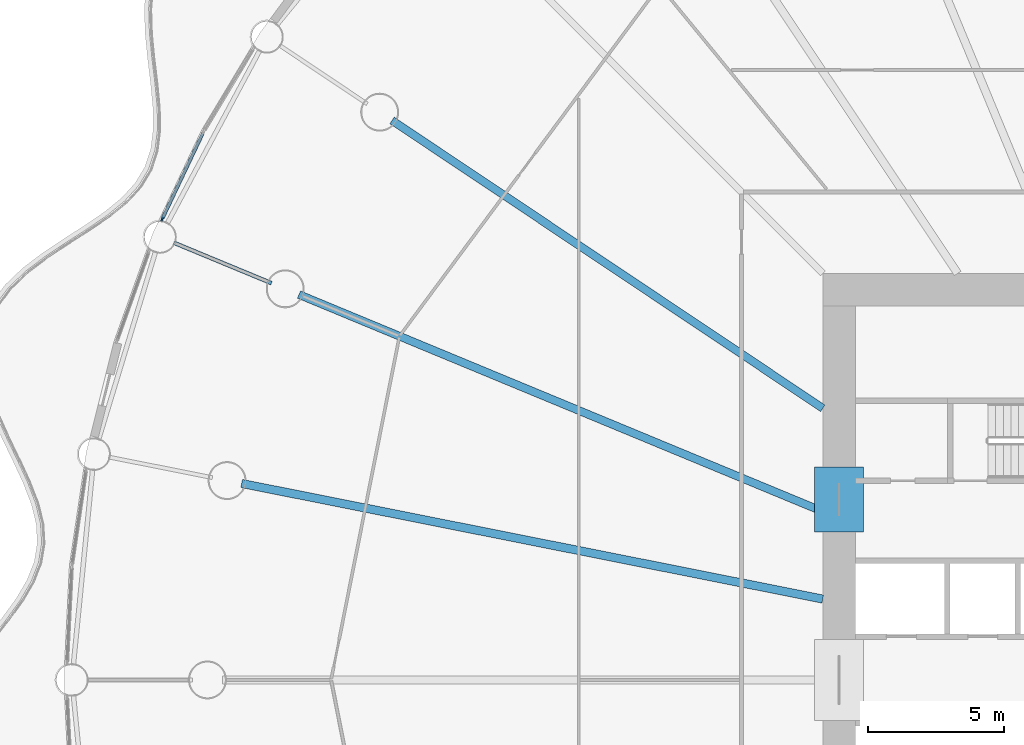
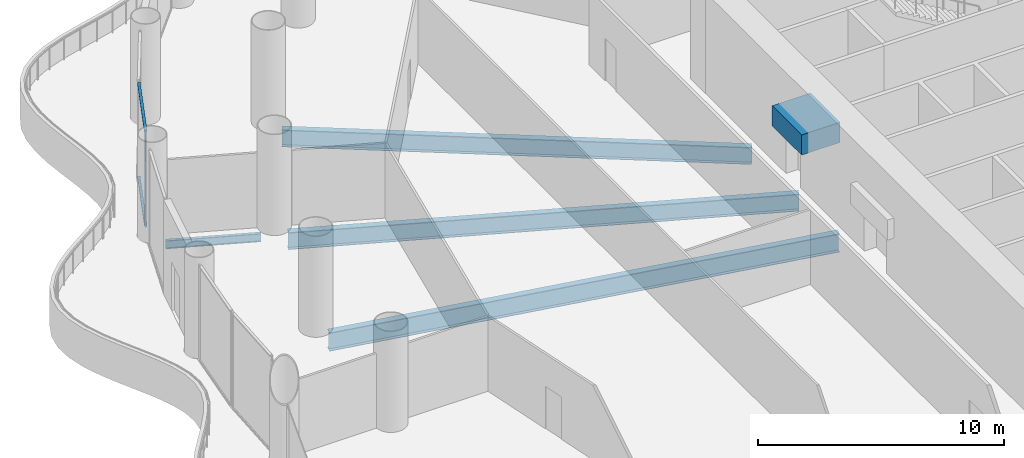
# One storey, part 9 of 36: 5 beams, 3 members, 1 element without a shape of its own.
"""IFC4 building model written with IfcOpenShell, lengths in metres."""

from ifc_helpers import new_model, si_unit, direction, frame, origin, origin_2d, place, context, subcontext, project, spatial, rectangle, i_section, extrude, material, material_profile, profile_set, type_object, element, aggregate, save


model = new_model("IFC4")

# Units and contexts
model_context = context("Model", 3, precision=1e-05, world=origin(), true_north=direction((0.0, 1.0)))
body_context = subcontext(model_context, "Body", "Model", "MODEL_VIEW")
ifc_project = project(units=[si_unit("LENGTHUNIT", "METRE"), si_unit("AREAUNIT", "SQUARE_METRE"), si_unit("VOLUMEUNIT", "CUBIC_METRE"), si_unit("PLANEANGLEUNIT", "RADIAN"), si_unit("MASSUNIT", "GRAM", prefix="KILO")], contexts=[model_context])

# Site, building, storey
site_placement = place(None, origin())
site = spatial("IfcSite", under=ifc_project, at=site_placement, CompositionType="ELEMENT")
building_placement = place(site_placement, origin())
building = spatial("IfcBuilding", under=site, at=building_placement, Name="Corvane Civic Tower", CompositionType="ELEMENT")
storey_placement = place(building_placement, frame((0.0, 0.0, 17.0)))
storey = spatial("IfcBuildingStorey", under=building, at=storey_placement, Name="L03", CompositionType="ELEMENT", Elevation=17.0)

# Beams
ifc_material_1 = material(Name="Concrete C80/95", Category="concrete")
ifc_material_profile_1 = material_profile(ifc_material_1, rectangle(XDim=1.800048828125, YDim=1.0, at=origin_2d()), Name="COUPLING BEAM 1800X1000")
ifc_profile_set_1 = profile_set([ifc_material_profile_1], Name="Concrete C80/95")
beam_type_1 = type_object("IfcBeamType", Name="COUPLING BEAM COUPLING BEAM 1800X1000", PredefinedType="BEAM", material=ifc_profile_set_1)
beam_1_placement = place(storey_placement, frame((-14.39990234375, 5.449951171875, 2.60009765625), z_axis=(0.0, 1.0, 0.0), x_axis=(-1.0, 0.0, 0.0)))
element("IfcBeam", 1, at=beam_1_placement, inside=storey, type_object=beam_type_1, Name="BM-L03-cpl-CW-WN", PredefinedType="BEAM", context=body_context, shape_type="SweptSolid", body=[
    extrude(rectangle(XDim=1.800048828125, YDim=1.0, at=origin_2d()), origin(), (0.0, 0.0, 1.0), 2.400146484375),
])
ifc_material_2 = material(Name="Steel ASTM A992 Gr 50", Category="steel")
ifc_material_profile_2 = material_profile(ifc_material_2, i_section(OverallWidth=0.140380859375, OverallDepth=0.40380859375, WebThickness=0.007080078125, FlangeThickness=0.01123046875, at=origin_2d()), Name="W16X31")
ifc_profile_set_2 = profile_set([ifc_material_profile_2], Name="Steel ASTM A992 Gr 50")
beam_type_2 = type_object("IfcBeamType", Name="FLOOR GIRDER W16X31", PredefinedType="BEAM", material=ifc_profile_set_2)
beam_2_placement = place(storey_placement, frame((-35.33837890625, 14.6376953125, -0.501953125), z_axis=(-0.923878730261, 0.382685369162, 0.0), x_axis=(-0.382685369162, -0.923878730261, 0.0)))
element("IfcBeam", 2, at=beam_2_placement, inside=storey, type_object=beam_type_2, Name="BM-L03-G27b", PredefinedType="BEAM", context=body_context, shape_type="SweptSolid", body=[
    extrude(i_section(OverallWidth=0.140380859375, OverallDepth=0.40380859375, WebThickness=0.007080078125, FlangeThickness=0.01123046875, at=origin_2d()), origin(), (0.0, 0.0, 1.0), 3.89990234375),
])
ifc_material_3 = material(Name="Steel ASTM A992 Gr 50", Category="steel")
ifc_material_profile_3 = material_profile(ifc_material_3, i_section(OverallWidth=0.2919921875, OverallDepth=0.845703125, WebThickness=0.015380859375, FlangeThickness=0.0244140625, at=origin_2d()), Name="W33X141")
ifc_profile_set_3 = profile_set([ifc_material_profile_3], Name="Steel ASTM A992 Gr 50")
beam_type_3 = type_object("IfcBeamType", Name="FLOOR GIRDER W33X141", PredefinedType="BEAM", material=ifc_profile_set_3)
beam_3_placement = place(storey_placement, frame((-15.0, 6.213134765625, -0.722900390625), z_axis=(-0.923875834355, 0.382692360381, 0.0), x_axis=(-0.382692360381, -0.923875834355, 0.0)))
element("IfcBeam", 3, at=beam_3_placement, inside=storey, type_object=beam_type_3, Name="BM-L03-G27", PredefinedType="BEAM", context=body_context, shape_type="SweptSolid", body=[
    extrude(i_section(OverallWidth=0.2919921875, OverallDepth=0.845703125, WebThickness=0.015380859375, FlangeThickness=0.0244140625, at=origin_2d()), origin(), (0.0, 0.0, 1.0), 20.9140625),
])
beam_4_placement = place(storey_placement, frame((-15.0, 10.022705078125, -0.722900390625), z_axis=(-0.831471985418, 0.555566681385, 0.0), x_axis=(-0.555566681385, -0.831471985418, 0.0)))
element("IfcBeam", 4, at=beam_4_placement, inside=storey, type_object=beam_type_3, Name="BM-L03-G28", PredefinedType="BEAM", context=body_context, shape_type="SweptSolid", body=[
    extrude(i_section(OverallWidth=0.2919921875, OverallDepth=0.845703125, WebThickness=0.015380859375, FlangeThickness=0.0244140625, at=origin_2d()), origin(), (0.0, 0.0, 1.0), 19.109619140625),
])
ifc_material_4 = material(Name="Steel ASTM A992 Gr 50", Category="steel")
ifc_material_profile_4 = material_profile(ifc_material_4, i_section(OverallWidth=0.3046875, OverallDepth=0.911865234375, WebThickness=0.015869140625, FlangeThickness=0.02392578125, at=origin_2d()), Name="W36X150")
ifc_profile_set_4 = profile_set([ifc_material_profile_4], Name="Steel ASTM A992 Gr 50")
beam_type_4 = type_object("IfcBeamType", Name="FLOOR GIRDER W36X150", PredefinedType="BEAM", material=ifc_profile_set_4)
beam_5_placement = place(storey_placement, frame((-15.0, 2.983642578125, -0.755859375), z_axis=(-0.980785499679, 0.195089219638, 0.0), x_axis=(-0.195089219638, -0.980785499679, 0.0)))
element("IfcBeam", 5, at=beam_5_placement, inside=storey, type_object=beam_type_4, Name="BM-L03-G26", PredefinedType="BEAM", context=body_context, shape_type="SweptSolid", body=[
    extrude(i_section(OverallWidth=0.3046875, OverallDepth=0.911865234375, WebThickness=0.015869140625, FlangeThickness=0.02392578125, at=origin_2d()), origin(), (0.0, 0.0, 1.0), 21.856201171875),
])

# Curtain wall, members
ifc_material_5 = material(Name="Aluminium and glass", Category="aluminium")
curtain_wall_type = type_object("IfcCurtainWallType", Name="PODIUM-CW-P-RUN", PredefinedType="NOTDEFINED", material=ifc_material_5)
curtain_wall_placement = place(storey_placement, origin())
curtain_wall = element("IfcCurtainWall", 6, at=curtain_wall_placement, inside=storey, type_object=curtain_wall_type, Name="PODI run L03-drum-27A", PredefinedType="NOTDEFINED")
ifc_material_6 = material(Name="Anodised aluminium bronze", Category="aluminium")
ifc_material_profile_5 = material_profile(ifc_material_6, rectangle(XDim=0.06005859375, YDim=0.159912109375, at=origin_2d()), Name="AL 60x160")
ifc_profile_set_5 = profile_set([ifc_material_profile_5], Name="Anodised aluminium bronze")
member_type_1 = type_object("IfcMemberType", Name="PODIUM-CWP-MULLION-60x160", PredefinedType="MULLION", material=ifc_profile_set_5)
member_1_placement = place(storey_placement, frame((-39.36767578125, 17.00439453125, 0.0), z_axis=(0.0, 0.0, 1.0), x_axis=(-0.903990222454, 0.42755312852, 0.0)))
member_1 = element("IfcMember", 7, at=member_1_placement, type_object=member_type_1, Name="CW-P mullion 1", PredefinedType="MULLION", context=body_context, shape_type="SweptSolid", body=[
    extrude(rectangle(XDim=0.06005859375, YDim=0.159912109375, at=origin_2d()), origin(), (0.0, 0.0, 1.0), 4.699951171875),
])
ifc_material_7 = material(Name="Anodised aluminium bronze", Category="aluminium")
ifc_material_profile_6 = material_profile(ifc_material_7, rectangle(XDim=0.1201171875, YDim=0.06005859375, at=origin_2d()), Name="AL 120x60")
ifc_profile_set_6 = profile_set([ifc_material_profile_6], Name="Anodised aluminium bronze")
member_type_2 = type_object("IfcMemberType", Name="PODIUM-CWP-TRANSOM-60x120", PredefinedType="USERDEFINED", material=ifc_profile_set_6)
member_2_placement = place(storey_placement, frame((-39.354736328125, 17.031494140625, 0.030029296875), z_axis=(0.427546343166, 0.903993431638, 0.0), x_axis=(-0.903993431638, 0.427546343166, 0.0)))
member_2 = element("IfcMember", 8, at=member_2_placement, type_object=member_type_2, Name="CW-P transom 1.1", ObjectType="TRANSOM", PredefinedType="USERDEFINED", context=body_context, shape_type="SweptSolid", body=[
    extrude(rectangle(XDim=0.1201171875, YDim=0.06005859375, at=origin_2d()), origin(), (0.0, 0.0, 1.0), 3.4599609375),
])
member_3_placement = place(storey_placement, frame((-39.354736328125, 17.031494140625, 4.669921875), z_axis=(0.427546343166, 0.903993431638, 0.0), x_axis=(-0.903993431638, 0.427546343166, 0.0)))
member_3 = element("IfcMember", 9, at=member_3_placement, type_object=member_type_2, Name="CW-P transom 1.2", ObjectType="TRANSOM", PredefinedType="USERDEFINED", context=body_context, shape_type="SweptSolid", body=[
    extrude(rectangle(XDim=0.1201171875, YDim=0.06005859375, at=origin_2d()), origin(), (0.0, 0.0, 1.0), 3.4599609375),
])
aggregate(curtain_wall, [member_1, member_2, member_3])

save(model, "model.ifc")
